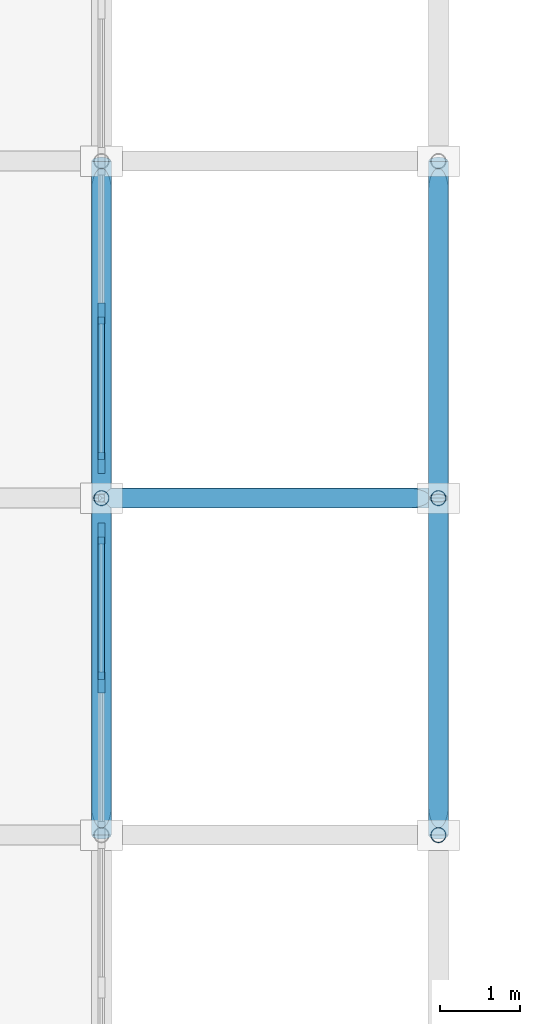
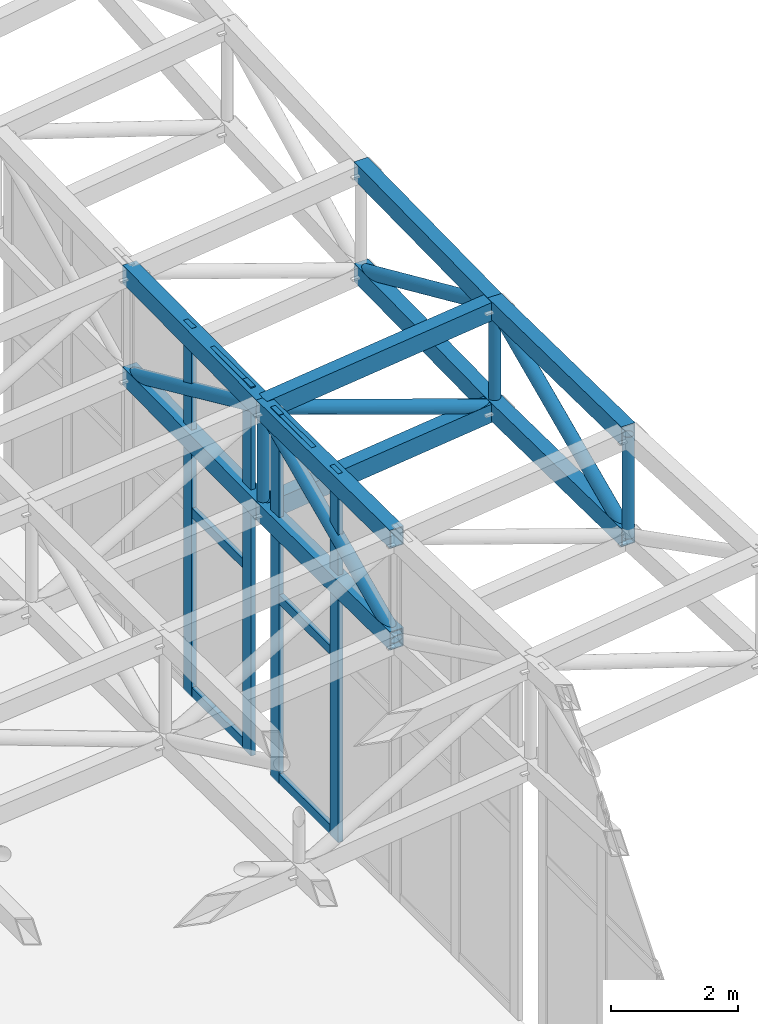
# One storey, part 50 of 111: 28 members, 2 elements without a shape of their own.
"""IFC4 building model written with IfcOpenShell, lengths in metres."""

from ifc_helpers import new_model, si_unit, direction, frame, origin, origin_2d, place, context, subcontext, project, spatial, rectangle, hollow_rectangle, hollow_circle, extrude, material, material_profile, profile_set, type_object, element, aggregate, save


model = new_model("IFC4")

# Units and contexts
model_context = context("Model", 3, precision=1e-05, world=origin(), true_north=direction((0.0, 1.0)))
body_context = subcontext(model_context, "Body", "Model", "MODEL_VIEW")
ifc_project = project(units=[si_unit("LENGTHUNIT", "METRE"), si_unit("AREAUNIT", "SQUARE_METRE"), si_unit("VOLUMEUNIT", "CUBIC_METRE"), si_unit("PLANEANGLEUNIT", "RADIAN"), si_unit("MASSUNIT", "GRAM", prefix="KILO")], contexts=[model_context])

# Site, building, storey
site_placement = place(None, origin())
site = spatial("IfcSite", under=ifc_project, at=site_placement, CompositionType="ELEMENT")
building_placement = place(site_placement, origin())
building = spatial("IfcBuilding", under=site, at=building_placement, Name="Cumbredor Promenade Congress Hotel", CompositionType="ELEMENT")
storey_placement = place(building_placement, frame((0.0, 0.0, 15.1201171875)))
storey = spatial("IfcBuildingStorey", under=building, at=storey_placement, Name="L04", CompositionType="ELEMENT", Elevation=15.1201171875)

# Curtain wall, members
ifc_material_1 = material(Name="Thermally broken anodized aluminium and low-E glass", Category="aluminium")
curtain_wall_type = type_object("IfcCurtainWallType", Name="Stepped Pavilion Clerestory Curtain Wall CW-06", PredefinedType="NOTDEFINED", material=ifc_material_1)
curtain_wall_1_placement = place(storey_placement, origin())
curtain_wall_1 = element("IfcCurtainWall", 1, at=curtain_wall_1_placement, inside=storey, type_object=curtain_wall_type, Name="Pre-Function and Breakout Meeting Forum E Glazed Clerestory 4", PredefinedType="NOTDEFINED")
ifc_material_2 = material(Name="Thermally broken anodized aluminium", Category="aluminium")
ifc_material_profile_1 = material_profile(ifc_material_2, rectangle(XDim=0.0849609375, YDim=0.260009765625, at=origin_2d()), Name="ALU MULLION CLERESTORY 85x260")
ifc_profile_set_1 = profile_set([ifc_material_profile_1], Name="Thermally broken anodized aluminium")
member_type_1 = type_object("IfcMemberType", Name="Curtain Wall Mullion ML-04", PredefinedType="MULLION", material=ifc_profile_set_1)
member_1_placement = place(storey_placement, frame((176.39990234375, 98.5, -0.01806640625), z_axis=(0.0, 0.0, 1.0), x_axis=(1.0, 0.0, 0.0)))
member_1 = element("IfcMember", 2, at=member_1_placement, type_object=member_type_1, Name="Pre-Function and Breakout Meeting Forum E Glazed Clerestory 4 Mullion 2", PredefinedType="MULLION", context=body_context, shape_type="SweptSolid", body=[
    extrude(rectangle(XDim=0.0849609375, YDim=0.260009765625, at=origin_2d()), origin(), (0.0, 0.0, 1.0), 7.078125),
])
member_2_placement = place(storey_placement, frame((176.39990234375, 100.360107421875, -0.01806640625), z_axis=(0.0, 0.0, 1.0), x_axis=(1.0, 0.0, 0.0)))
member_2 = element("IfcMember", 3, at=member_2_placement, type_object=member_type_1, Name="Pre-Function and Breakout Meeting Forum E Glazed Clerestory 4 Mullion 3", PredefinedType="MULLION", context=body_context, shape_type="SweptSolid", body=[
    extrude(rectangle(XDim=0.0849609375, YDim=0.260009765625, at=origin_2d()), origin(), (0.0, 0.0, 1.0), 7.078125),
])

curtain_wall_2_placement = place(storey_placement, origin())
curtain_wall_2 = element("IfcCurtainWall", 4, at=curtain_wall_2_placement, inside=storey, type_object=curtain_wall_type, Name="Pre-Function and Breakout Meeting Forum E Glazed Clerestory 5", PredefinedType="NOTDEFINED")
member_3_placement = place(storey_placement, frame((176.39990234375, 101.239990234375, -0.01806640625), z_axis=(0.0, 0.0, 1.0), x_axis=(1.0, 0.0, 0.0)))
member_3 = element("IfcMember", 5, at=member_3_placement, type_object=member_type_1, Name="Pre-Function and Breakout Meeting Forum E Glazed Clerestory 5 Mullion 1", PredefinedType="MULLION", context=body_context, shape_type="SweptSolid", body=[
    extrude(rectangle(XDim=0.0849609375, YDim=0.260009765625, at=origin_2d()), origin(), (0.0, 0.0, 1.0), 7.078125),
])
member_4_placement = place(storey_placement, frame((176.39990234375, 103.10009765625, -0.01806640625), z_axis=(0.0, 0.0, 1.0), x_axis=(1.0, 0.0, 0.0)))
member_4 = element("IfcMember", 6, at=member_4_placement, type_object=member_type_1, Name="Pre-Function and Breakout Meeting Forum E Glazed Clerestory 5 Mullion 2", PredefinedType="MULLION", context=body_context, shape_type="SweptSolid", body=[
    extrude(rectangle(XDim=0.0849609375, YDim=0.260009765625, at=origin_2d()), origin(), (0.0, 0.0, 1.0), 7.078125),
])

# Member
ifc_material_profile_2 = material_profile(ifc_material_2, rectangle(XDim=0.080078125, YDim=0.179931640625, at=origin_2d()), Name="ALU TRANSOM 80x180")
ifc_profile_set_2 = profile_set([ifc_material_profile_2], Name="Thermally broken anodized aluminium")
member_type_2 = type_object("IfcMemberType", Name="Curtain Wall Transom TR-03", PredefinedType="USERDEFINED", material=ifc_profile_set_2)
member_5_placement = place(storey_placement, frame((176.39990234375, 98.54248046875, 0.079833984375), z_axis=(0.0, 1.0, 0.0), x_axis=(-1.0, 0.0, 0.0)))
member_5 = element("IfcMember", 7, at=member_5_placement, type_object=member_type_2, Name="Pre-Function and Breakout Meeting Forum E Glazed Clerestory 4 Transom 2.1", ObjectType="TRANSOM", PredefinedType="USERDEFINED", context=body_context, shape_type="SweptSolid", body=[
    extrude(rectangle(XDim=0.080078125, YDim=0.179931640625, at=origin_2d()), origin(), (0.0, 0.0, 1.0), 1.77490234375),
])

member_6_placement = place(storey_placement, frame((176.39990234375, 98.54248046875, 3.519775390625), z_axis=(0.0, 1.0, 0.0), x_axis=(-1.0, 0.0, 0.0)))
member_6 = element("IfcMember", 8, at=member_6_placement, type_object=member_type_2, Name="Pre-Function and Breakout Meeting Forum E Glazed Clerestory 4 Transom 2.2", ObjectType="TRANSOM", PredefinedType="USERDEFINED", context=body_context, shape_type="SweptSolid", body=[
    extrude(rectangle(XDim=0.080078125, YDim=0.179931640625, at=origin_2d()), origin(), (0.0, 0.0, 1.0), 1.77490234375),
])

member_7_placement = place(storey_placement, frame((176.39990234375, 98.54248046875, 6.9599609375), z_axis=(0.0, 1.0, 0.0), x_axis=(-1.0, 0.0, 0.0)))
member_7 = element("IfcMember", 9, at=member_7_placement, type_object=member_type_2, Name="Pre-Function and Breakout Meeting Forum E Glazed Clerestory 4 Transom 2.3", ObjectType="TRANSOM", PredefinedType="USERDEFINED", context=body_context, shape_type="SweptSolid", body=[
    extrude(rectangle(XDim=0.080078125, YDim=0.179931640625, at=origin_2d()), origin(), (0.0, 0.0, 1.0), 1.77490234375),
])

aggregate(curtain_wall_1, [member_1, member_2, member_5, member_6, member_7])

member_8_placement = place(storey_placement, frame((176.39990234375, 101.282470703125, 0.079833984375), z_axis=(0.0, 1.0, 0.0), x_axis=(-1.0, 0.0, 0.0)))
member_8 = element("IfcMember", 10, at=member_8_placement, type_object=member_type_2, Name="Pre-Function and Breakout Meeting Forum E Glazed Clerestory 5 Transom 1.1", ObjectType="TRANSOM", PredefinedType="USERDEFINED", context=body_context, shape_type="SweptSolid", body=[
    extrude(rectangle(XDim=0.080078125, YDim=0.179931640625, at=origin_2d()), origin(), (0.0, 0.0, 1.0), 1.775146484375),
])

member_9_placement = place(storey_placement, frame((176.39990234375, 101.282470703125, 3.519775390625), z_axis=(0.0, 1.0, 0.0), x_axis=(-1.0, 0.0, 0.0)))
member_9 = element("IfcMember", 11, at=member_9_placement, type_object=member_type_2, Name="Pre-Function and Breakout Meeting Forum E Glazed Clerestory 5 Transom 1.2", ObjectType="TRANSOM", PredefinedType="USERDEFINED", context=body_context, shape_type="SweptSolid", body=[
    extrude(rectangle(XDim=0.080078125, YDim=0.179931640625, at=origin_2d()), origin(), (0.0, 0.0, 1.0), 1.775146484375),
])

member_10_placement = place(storey_placement, frame((176.39990234375, 101.282470703125, 6.9599609375), z_axis=(0.0, 1.0, 0.0), x_axis=(-1.0, 0.0, 0.0)))
member_10 = element("IfcMember", 12, at=member_10_placement, type_object=member_type_2, Name="Pre-Function and Breakout Meeting Forum E Glazed Clerestory 5 Transom 1.3", ObjectType="TRANSOM", PredefinedType="USERDEFINED", context=body_context, shape_type="SweptSolid", body=[
    extrude(rectangle(XDim=0.080078125, YDim=0.179931640625, at=origin_2d()), origin(), (0.0, 0.0, 1.0), 1.775146484375),
])

aggregate(curtain_wall_2, [member_3, member_4, member_8, member_9, member_10])

# Members
ifc_material_3 = material(Name="Steel ASTM A500 Grade C", Category="steel")
ifc_material_profile_3 = material_profile(ifc_material_3, hollow_rectangle(XDim=0.25, YDim=0.35009765625, WallThickness=0.01611328125, at=origin_2d()), Name="HSS 350x250x16")
ifc_profile_set_3 = profile_set([ifc_material_profile_3], Name="Steel ASTM A500 Grade C")
member_type_3 = type_object("IfcMemberType", Name="Forum Roof Truss Chord", PredefinedType="CHORD", material=ifc_profile_set_3)
for number, where, z_axis, x_axis, name in (
    (13, (176.39990234375, 100.800048828125, 6.85888671875), (0.993363339679, 0.0, 0.11501858711), (0.0, 1.0, 0.0), "Pre-Function and Breakout Meeting Forum X Top Chord 22.6"),
    (14, (176.39990234375, 100.800048828125, 4.908935546875), (0.993363339679, 0.0, 0.11501858711), (0.0, 1.0, 0.0), "Pre-Function and Breakout Meeting Forum X Bottom Chord 22.6"),
):
    element("IfcMember", number, at=place(storey_placement, frame(where, z_axis=z_axis, x_axis=x_axis)), inside=storey, type_object=member_type_3, Name=name, PredefinedType="CHORD", context=body_context, shape_type="SweptSolid", body=[
        extrude(hollow_rectangle(XDim=0.25, YDim=0.35009765625, WallThickness=0.01611328125, at=origin_2d()), origin(), (0.0, 0.0, 1.0), 4.228271484375),
    ])
for number, where, z_axis, x_axis, name in (
    (15, (176.39990234375, 96.60009765625, 6.9013671875), (0.0, 0.999948852218, -0.010113997575), (-1.0, 0.0, 0.0), "Pre-Function and Breakout Meeting Forum Y Top Chord 22.5"),
    (16, (176.39990234375, 96.60009765625, 4.951416015625), (0.0, 0.999948852218, -0.010113997575), (-1.0, 0.0, 0.0), "Pre-Function and Breakout Meeting Forum Y Bottom Chord 22.5"),
    (17, (176.39990234375, 100.800048828125, 6.85888671875), (0.0, 0.999948852218, 0.010113997575), (-1.0, 0.0, 0.0), "Pre-Function and Breakout Meeting Forum Y Top Chord 22.6"),
    (18, (176.39990234375, 100.800048828125, 4.908935546875), (0.0, 0.999948852218, 0.010113997575), (-1.0, 0.0, 0.0), "Pre-Function and Breakout Meeting Forum Y Bottom Chord 22.6"),
):
    element("IfcMember", number, at=place(storey_placement, frame(where, z_axis=z_axis, x_axis=x_axis)), inside=storey, type_object=member_type_3, Name=name, PredefinedType="CHORD", context=body_context, shape_type="SweptSolid", body=[
        extrude(hollow_rectangle(XDim=0.25, YDim=0.35009765625, WallThickness=0.01611328125, at=origin_2d()), origin(), (0.0, 0.0, 1.0), 4.2001953125),
    ])
for number, where, z_axis, x_axis, name in (
    (19, (180.60009765625, 96.60009765625, 7.412841796875), (0.0, 0.999870390533, -0.016099755751), (-1.0, 0.0, 0.0), "Pre-Function and Breakout Meeting Forum Y Top Chord 23.5"),
    (20, (180.60009765625, 96.60009765625, 5.462890625), (0.0, 0.999870390533, -0.016099755751), (-1.0, 0.0, 0.0), "Pre-Function and Breakout Meeting Forum Y Bottom Chord 23.5"),
    (21, (180.60009765625, 100.800048828125, 7.34521484375), (0.0, 0.999870390533, 0.016099755751), (-1.0, 0.0, 0.0), "Pre-Function and Breakout Meeting Forum Y Top Chord 23.6"),
    (22, (180.60009765625, 100.800048828125, 5.395263671875), (0.0, 0.999870390533, 0.016099755751), (-1.0, 0.0, 0.0), "Pre-Function and Breakout Meeting Forum Y Bottom Chord 23.6"),
):
    element("IfcMember", number, at=place(storey_placement, frame(where, z_axis=z_axis, x_axis=x_axis)), inside=storey, type_object=member_type_3, Name=name, PredefinedType="CHORD", context=body_context, shape_type="SweptSolid", body=[
        extrude(hollow_rectangle(XDim=0.25, YDim=0.35009765625, WallThickness=0.01611328125, at=origin_2d()), origin(), (0.0, 0.0, 1.0), 4.200439453125),
    ])
ifc_material_profile_4 = material_profile(ifc_material_3, hollow_circle(Radius=0.122314453125, WallThickness=0.012451171875, at=origin_2d()), Name="CHS 244.5x12.5")
ifc_profile_set_4 = profile_set([ifc_material_profile_4], Name="Steel ASTM A500 Grade C")
member_type_4 = type_object("IfcMemberType", Name="Space Frame Web Diagonal D2", PredefinedType="BRACE", material=ifc_profile_set_4)
member_11_placement = place(storey_placement, frame((176.39990234375, 100.800048828125, 6.85888671875), z_axis=(0.944309298759, 0.0, -0.329059186588), x_axis=(0.0, 1.0, 0.0)))
element("IfcMember", 23, at=member_11_placement, inside=storey, type_object=member_type_4, Name="Pre-Function and Breakout Meeting Forum X Web Diagonal 22.6", PredefinedType="BRACE", context=body_context, shape_type="SweptSolid", body=[
    extrude(hollow_circle(Radius=0.122314453125, WallThickness=0.012451171875, at=origin_2d()), origin(), (0.0, 0.0, 1.0), 4.447998046875),
])
for number, where, z_axis, x_axis, name in (
    (24, (176.39990234375, 96.60009765625, 4.951416015625), (0.0, 0.910496936225, 0.413515814842), (-1.0, 0.0, 0.0), "Pre-Function and Breakout Meeting Forum Y Web Diagonal 22.5"),
    (25, (176.39990234375, 100.800048828125, 6.85888671875), (0.0, 0.910496936225, -0.413515814842), (-1.0, 0.0, 0.0), "Pre-Function and Breakout Meeting Forum Y Web Diagonal 22.6"),
):
    element("IfcMember", number, at=place(storey_placement, frame(where, z_axis=z_axis, x_axis=x_axis)), inside=storey, type_object=member_type_4, Name=name, PredefinedType="BRACE", context=body_context, shape_type="SweptSolid", body=[
        extrude(hollow_circle(Radius=0.122314453125, WallThickness=0.012451171875, at=origin_2d()), origin(), (0.0, 0.0, 1.0), 4.61279296875),
    ])
for number, where, z_axis, x_axis, name in (
    (26, (180.60009765625, 96.60009765625, 5.462890625), (0.0, 0.91254277693, 0.408981271298), (-1.0, 0.0, 0.0), "Pre-Function and Breakout Meeting Forum Y Web Diagonal 23.5"),
    (27, (180.60009765625, 100.800048828125, 7.34521484375), (0.0, 0.91254277693, -0.408981271298), (-1.0, 0.0, 0.0), "Pre-Function and Breakout Meeting Forum Y Web Diagonal 23.6"),
):
    element("IfcMember", number, at=place(storey_placement, frame(where, z_axis=z_axis, x_axis=x_axis)), inside=storey, type_object=member_type_4, Name=name, PredefinedType="BRACE", context=body_context, shape_type="SweptSolid", body=[
        extrude(hollow_circle(Radius=0.122314453125, WallThickness=0.012451171875, at=origin_2d()), origin(), (0.0, 0.0, 1.0), 4.6025390625),
    ])
ifc_material_profile_5 = material_profile(ifc_material_3, hollow_circle(Radius=0.096923828125, WallThickness=0.010009765625, at=origin_2d()), Name="CHS 193.7x10")
ifc_profile_set_5 = profile_set([ifc_material_profile_5], Name="Steel ASTM A500 Grade C")
member_type_5 = type_object("IfcMemberType", Name="Space Frame Web Post P1", PredefinedType="BRACE", material=ifc_profile_set_5)
for number, where, z_axis, x_axis, name in (
    (28, (176.39990234375, 100.800048828125, 4.908935546875), (0.0, 0.0, 1.0), (1.0, 0.0, 0.0), "Pre-Function and Breakout Meeting Forum Space Frame Web Post 22.6"),
    (29, (180.60009765625, 96.60009765625, 5.462890625), (0.0, 0.0, 1.0), (1.0, 0.0, 0.0), "Pre-Function and Breakout Meeting Forum Space Frame Web Post 23.5"),
    (30, (180.60009765625, 100.800048828125, 5.395263671875), (0.0, 0.0, 1.0), (1.0, 0.0, 0.0), "Pre-Function and Breakout Meeting Forum Space Frame Web Post 23.6"),
):
    element("IfcMember", number, at=place(storey_placement, frame(where, z_axis=z_axis, x_axis=x_axis)), inside=storey, type_object=member_type_5, Name=name, PredefinedType="BRACE", context=body_context, shape_type="SweptSolid", body=[
        extrude(hollow_circle(Radius=0.096923828125, WallThickness=0.010009765625, at=origin_2d()), origin(), (0.0, 0.0, 1.0), 1.949951171875),
    ])

save(model, "model.ifc")
